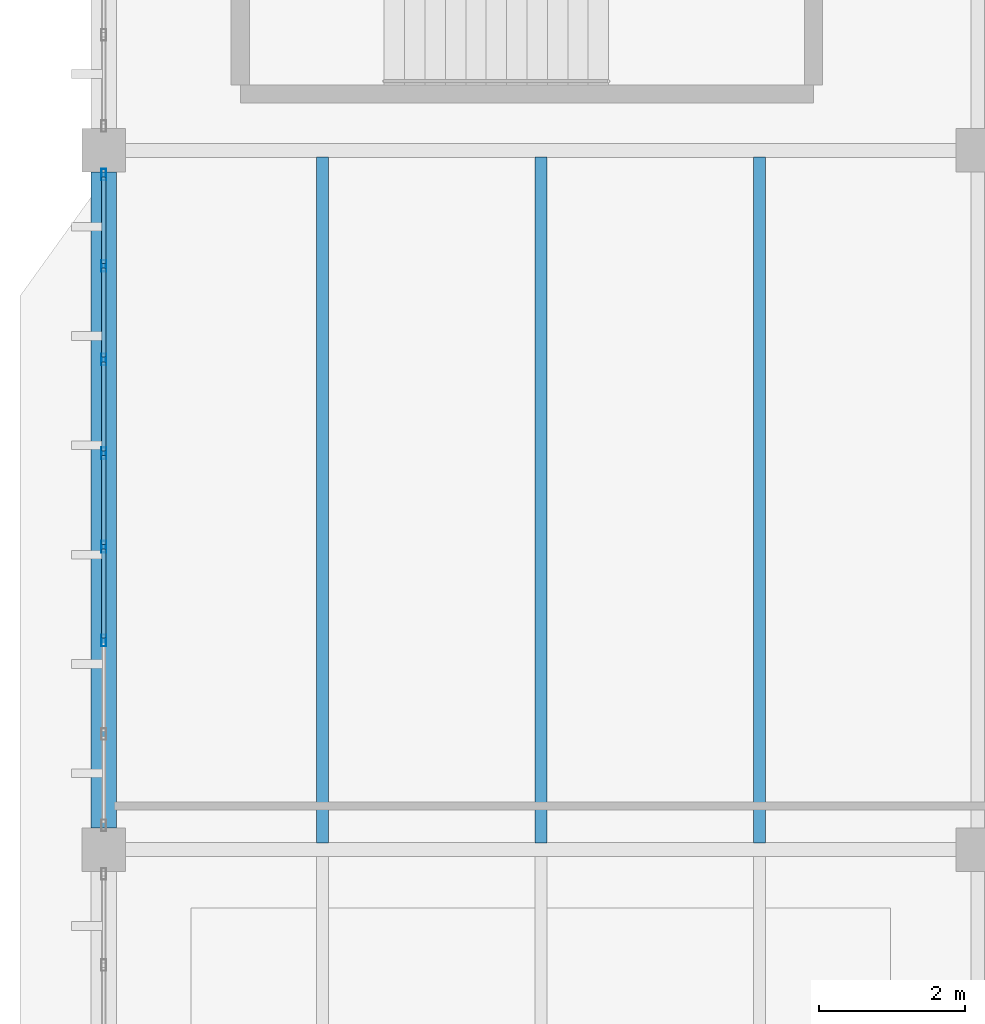
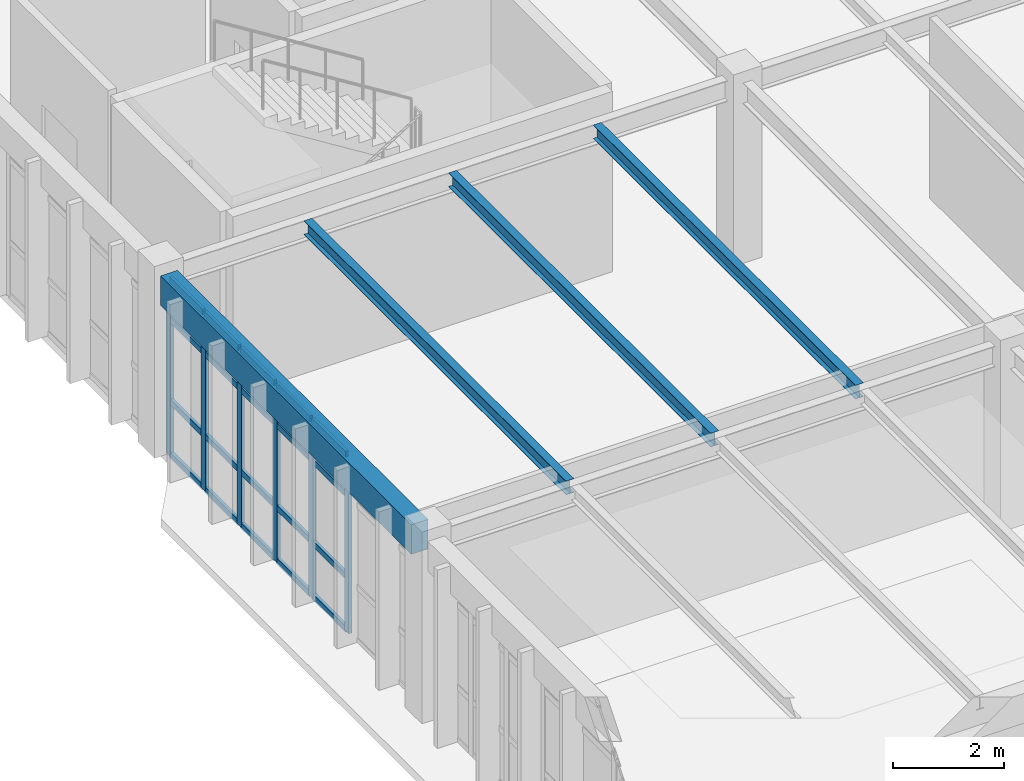
# One storey, part 6 of 37: 26 members, 4 beams, 1 element without a shape of its own.
"""IFC4 building model written with IfcOpenShell, lengths in metres."""

from ifc_helpers import new_model, si_unit, direction, frame, origin, origin_2d, place, context, subcontext, project, spatial, rectangle, hollow_rectangle, i_section, extrude, material, layer, layer_set, material_profile, profile_set, type_object, element, aggregate, save


model = new_model("IFC4")

# Units and contexts
model_context = context("Model", 3, precision=1e-05, world=origin(), true_north=direction((0.0, 1.0)))
body_context = subcontext(model_context, "Body", "Model", "MODEL_VIEW")
ifc_project = project(units=[si_unit("LENGTHUNIT", "METRE"), si_unit("AREAUNIT", "SQUARE_METRE"), si_unit("VOLUMEUNIT", "CUBIC_METRE"), si_unit("PLANEANGLEUNIT", "RADIAN"), si_unit("MASSUNIT", "GRAM", prefix="KILO")], contexts=[model_context])

# Site, building, storey
site_placement = place(None, origin())
site = spatial("IfcSite", under=ifc_project, at=site_placement, CompositionType="ELEMENT")
building_placement = place(site_placement, origin())
building = spatial("IfcBuilding", under=site, at=building_placement, Name="Pandanus Reach Market Hall", CompositionType="ELEMENT")
storey_placement = place(building_placement, frame((0.0, 0.0, 14.39990234375)))
storey = spatial("IfcBuildingStorey", under=building, at=storey_placement, Name="L03", CompositionType="ELEMENT", Elevation=14.39990234375)

# Beam
ifc_material_1 = material(Name="Concrete N40 (40 MPa)", Category="concrete")
ifc_material_profile_1 = material_profile(ifc_material_1, rectangle(XDim=0.35009765625, YDim=0.64990234375, at=origin_2d()), Name="RC350x650", Category="LoadBearing")
ifc_profile_set_1 = profile_set([ifc_material_profile_1], Name="Concrete N40 (40 MPa)")
beam_type_1 = type_object("IfcBeamType", Name="BM-RC350-E", PredefinedType="SPANDREL", material=ifc_profile_set_1)
beam_placement = place(storey_placement, frame((144.0, 38.697998046875, 3.630126953125), z_axis=(0.0, 1.0, 0.0), x_axis=(-1.0, 0.0, 0.0)))
element("IfcBeam", 1, at=beam_placement, inside=storey, type_object=beam_type_1, Name="Framing beam BM-RC350-E L03.555", PredefinedType="SPANDREL", context=body_context, shape_type="SweptSolid", body=[
    extrude(rectangle(XDim=0.35009765625, YDim=0.64990234375, at=origin_2d()), origin(), (0.0, 0.0, 1.0), 9.00390625),
])

# Curtain wall, members
ifc_material_2 = material(Name="Bronze anodised aluminium and low-E glass", Category="aluminium")
ifc_layer = layer(ifc_material_2, 0.159912109375, Name="CW-33")
ifc_layer_set = layer_set([ifc_layer], Name="Bronze anodised aluminium and low-E glass")
curtain_wall_type = type_object("IfcCurtainWallType", Name="CW-33", PredefinedType="NOTDEFINED", material=ifc_layer_set)
curtain_wall_placement = place(storey_placement, origin())
curtain_wall = element("IfcCurtainWall", 2, at=curtain_wall_placement, inside=storey, type_object=curtain_wall_type, Name="Glazed curtain wall CW-33 CW-0123", PredefinedType="NOTDEFINED")
ifc_material_3 = material(Name="Bronze anodised aluminium", Category="aluminium")
ifc_material_profile_2 = material_profile(ifc_material_3, hollow_rectangle(XDim=0.06494140625, YDim=0.159912109375, WallThickness=0.00390625, at=origin_2d()), Name="ALU65x160", Category="LoadBearing")
ifc_profile_set_2 = profile_set([ifc_material_profile_2], Name="Bronze anodised aluminium")
member_type_1 = type_object("IfcMemberType", Name="CW-M1", PredefinedType="MULLION", material=ifc_profile_set_2)
member_1_placement = place(storey_placement, frame((144.0, 41.271484375, 0.0), z_axis=(0.0, 0.0, 1.0), x_axis=(-1.0, 0.0, 0.0)))
member_1 = element("IfcMember", 3, at=member_1_placement, type_object=member_type_1, Name="CW-33 mullion 3", PredefinedType="MULLION", context=body_context, shape_type="SweptSolid", body=[
    extrude(hollow_rectangle(XDim=0.06494140625, YDim=0.159912109375, WallThickness=0.00390625, at=origin_2d()), origin(), (0.0, 0.0, 1.0), 3.900146484375),
])
member_2_placement = place(storey_placement, frame((144.0, 42.55712890625, 0.0), z_axis=(0.0, 0.0, 1.0), x_axis=(-1.0, 0.0, 0.0)))
member_2 = element("IfcMember", 4, at=member_2_placement, type_object=member_type_1, Name="CW-33 mullion 4", PredefinedType="MULLION", context=body_context, shape_type="SweptSolid", body=[
    extrude(hollow_rectangle(XDim=0.06494140625, YDim=0.159912109375, WallThickness=0.00390625, at=origin_2d()), origin(), (0.0, 0.0, 1.0), 3.900146484375),
])
member_3_placement = place(storey_placement, frame((144.0, 43.8427734375, 0.0), z_axis=(0.0, 0.0, 1.0), x_axis=(-1.0, 0.0, 0.0)))
member_3 = element("IfcMember", 5, at=member_3_placement, type_object=member_type_1, Name="CW-33 mullion 5", PredefinedType="MULLION", context=body_context, shape_type="SweptSolid", body=[
    extrude(hollow_rectangle(XDim=0.06494140625, YDim=0.159912109375, WallThickness=0.00390625, at=origin_2d()), origin(), (0.0, 0.0, 1.0), 3.900146484375),
])
member_4_placement = place(storey_placement, frame((144.0, 45.128662109375, 0.0), z_axis=(0.0, 0.0, 1.0), x_axis=(-1.0, 0.0, 0.0)))
member_4 = element("IfcMember", 6, at=member_4_placement, type_object=member_type_1, Name="CW-33 mullion 6", PredefinedType="MULLION", context=body_context, shape_type="SweptSolid", body=[
    extrude(hollow_rectangle(XDim=0.06494140625, YDim=0.159912109375, WallThickness=0.00390625, at=origin_2d()), origin(), (0.0, 0.0, 1.0), 3.900146484375),
])
member_5_placement = place(storey_placement, frame((144.0, 46.414306640625, 0.0), z_axis=(0.0, 0.0, 1.0), x_axis=(-1.0, 0.0, 0.0)))
member_5 = element("IfcMember", 7, at=member_5_placement, type_object=member_type_1, Name="CW-33 mullion 7", PredefinedType="MULLION", context=body_context, shape_type="SweptSolid", body=[
    extrude(hollow_rectangle(XDim=0.06494140625, YDim=0.159912109375, WallThickness=0.00390625, at=origin_2d()), origin(), (0.0, 0.0, 1.0), 3.900146484375),
])
member_6_placement = place(storey_placement, frame((144.0, 47.66748046875, 0.0), z_axis=(0.0, 0.0, 1.0), x_axis=(-1.0, 0.0, 0.0)))
member_6 = element("IfcMember", 8, at=member_6_placement, type_object=member_type_1, Name="CW-33 mullion 8", PredefinedType="MULLION", context=body_context, shape_type="SweptSolid", body=[
    extrude(hollow_rectangle(XDim=0.06494140625, YDim=0.159912109375, WallThickness=0.00390625, at=origin_2d()), origin(), (0.0, 0.0, 1.0), 3.900146484375),
])
ifc_material_profile_3 = material_profile(ifc_material_3, hollow_rectangle(XDim=0.06494140625, YDim=0.1298828125, WallThickness=0.00390625, at=origin_2d()), Name="ALU65x130", Category="LoadBearing")
ifc_profile_set_3 = profile_set([ifc_material_profile_3], Name="Bronze anodised aluminium")
member_type_2 = type_object("IfcMemberType", Name="CW-T1", PredefinedType="USERDEFINED", material=ifc_profile_set_3)
member_7_placement = place(storey_placement, frame((144.0, 41.303955078125, 0.03271484375), z_axis=(0.0, 1.0, 0.0), x_axis=(-1.0, 0.0, 0.0)))
member_7 = element("IfcMember", 9, at=member_7_placement, type_object=member_type_2, Name="CW-33 transom 3.1", ObjectType="TRANSOM", PredefinedType="USERDEFINED", context=body_context, shape_type="SweptSolid", body=[
    extrude(hollow_rectangle(XDim=0.06494140625, YDim=0.1298828125, WallThickness=0.00390625, at=origin_2d()), origin(), (0.0, 0.0, 1.0), 1.220703125),
])
member_8_placement = place(storey_placement, frame((144.0, 41.303955078125, 1.2001953125), z_axis=(0.0, 1.0, 0.0), x_axis=(-1.0, 0.0, 0.0)))
member_8 = element("IfcMember", 10, at=member_8_placement, type_object=member_type_2, Name="CW-33 transom 3.2", ObjectType="TRANSOM", PredefinedType="USERDEFINED", context=body_context, shape_type="SweptSolid", body=[
    extrude(hollow_rectangle(XDim=0.06494140625, YDim=0.1298828125, WallThickness=0.00390625, at=origin_2d()), origin(), (0.0, 0.0, 1.0), 1.220703125),
])
member_9_placement = place(storey_placement, frame((144.0, 41.303955078125, 3.0), z_axis=(0.0, 1.0, 0.0), x_axis=(-1.0, 0.0, 0.0)))
member_9 = element("IfcMember", 11, at=member_9_placement, type_object=member_type_2, Name="CW-33 transom 3.3", ObjectType="TRANSOM", PredefinedType="USERDEFINED", context=body_context, shape_type="SweptSolid", body=[
    extrude(hollow_rectangle(XDim=0.06494140625, YDim=0.1298828125, WallThickness=0.00390625, at=origin_2d()), origin(), (0.0, 0.0, 1.0), 1.220703125),
])
member_10_placement = place(storey_placement, frame((144.0, 41.303955078125, 3.86767578125), z_axis=(0.0, 1.0, 0.0), x_axis=(-1.0, 0.0, 0.0)))
member_10 = element("IfcMember", 12, at=member_10_placement, type_object=member_type_2, Name="CW-33 transom 3.4", ObjectType="TRANSOM", PredefinedType="USERDEFINED", context=body_context, shape_type="SweptSolid", body=[
    extrude(hollow_rectangle(XDim=0.06494140625, YDim=0.1298828125, WallThickness=0.00390625, at=origin_2d()), origin(), (0.0, 0.0, 1.0), 1.220703125),
])
member_11_placement = place(storey_placement, frame((144.0, 42.589599609375, 0.03271484375), z_axis=(0.0, 1.0, 0.0), x_axis=(-1.0, 0.0, 0.0)))
member_11 = element("IfcMember", 13, at=member_11_placement, type_object=member_type_2, Name="CW-33 transom 4.1", ObjectType="TRANSOM", PredefinedType="USERDEFINED", context=body_context, shape_type="SweptSolid", body=[
    extrude(hollow_rectangle(XDim=0.06494140625, YDim=0.1298828125, WallThickness=0.00390625, at=origin_2d()), origin(), (0.0, 0.0, 1.0), 1.220703125),
])
member_12_placement = place(storey_placement, frame((144.0, 42.589599609375, 1.2001953125), z_axis=(0.0, 1.0, 0.0), x_axis=(-1.0, 0.0, 0.0)))
member_12 = element("IfcMember", 14, at=member_12_placement, type_object=member_type_2, Name="CW-33 transom 4.2", ObjectType="TRANSOM", PredefinedType="USERDEFINED", context=body_context, shape_type="SweptSolid", body=[
    extrude(hollow_rectangle(XDim=0.06494140625, YDim=0.1298828125, WallThickness=0.00390625, at=origin_2d()), origin(), (0.0, 0.0, 1.0), 1.220703125),
])
member_13_placement = place(storey_placement, frame((144.0, 42.589599609375, 3.0), z_axis=(0.0, 1.0, 0.0), x_axis=(-1.0, 0.0, 0.0)))
member_13 = element("IfcMember", 15, at=member_13_placement, type_object=member_type_2, Name="CW-33 transom 4.3", ObjectType="TRANSOM", PredefinedType="USERDEFINED", context=body_context, shape_type="SweptSolid", body=[
    extrude(hollow_rectangle(XDim=0.06494140625, YDim=0.1298828125, WallThickness=0.00390625, at=origin_2d()), origin(), (0.0, 0.0, 1.0), 1.220703125),
])
member_14_placement = place(storey_placement, frame((144.0, 42.589599609375, 3.86767578125), z_axis=(0.0, 1.0, 0.0), x_axis=(-1.0, 0.0, 0.0)))
member_14 = element("IfcMember", 16, at=member_14_placement, type_object=member_type_2, Name="CW-33 transom 4.4", ObjectType="TRANSOM", PredefinedType="USERDEFINED", context=body_context, shape_type="SweptSolid", body=[
    extrude(hollow_rectangle(XDim=0.06494140625, YDim=0.1298828125, WallThickness=0.00390625, at=origin_2d()), origin(), (0.0, 0.0, 1.0), 1.220703125),
])
member_15_placement = place(storey_placement, frame((144.0, 43.875244140625, 0.03271484375), z_axis=(0.0, 1.0, 0.0), x_axis=(-1.0, 0.0, 0.0)))
member_15 = element("IfcMember", 17, at=member_15_placement, type_object=member_type_2, Name="CW-33 transom 5.1", ObjectType="TRANSOM", PredefinedType="USERDEFINED", context=body_context, shape_type="SweptSolid", body=[
    extrude(hollow_rectangle(XDim=0.06494140625, YDim=0.1298828125, WallThickness=0.00390625, at=origin_2d()), origin(), (0.0, 0.0, 1.0), 1.220947265625),
])
member_16_placement = place(storey_placement, frame((144.0, 43.875244140625, 1.2001953125), z_axis=(0.0, 1.0, 0.0), x_axis=(-1.0, 0.0, 0.0)))
member_16 = element("IfcMember", 18, at=member_16_placement, type_object=member_type_2, Name="CW-33 transom 5.2", ObjectType="TRANSOM", PredefinedType="USERDEFINED", context=body_context, shape_type="SweptSolid", body=[
    extrude(hollow_rectangle(XDim=0.06494140625, YDim=0.1298828125, WallThickness=0.00390625, at=origin_2d()), origin(), (0.0, 0.0, 1.0), 1.220947265625),
])
member_17_placement = place(storey_placement, frame((144.0, 43.875244140625, 3.0), z_axis=(0.0, 1.0, 0.0), x_axis=(-1.0, 0.0, 0.0)))
member_17 = element("IfcMember", 19, at=member_17_placement, type_object=member_type_2, Name="CW-33 transom 5.3", ObjectType="TRANSOM", PredefinedType="USERDEFINED", context=body_context, shape_type="SweptSolid", body=[
    extrude(hollow_rectangle(XDim=0.06494140625, YDim=0.1298828125, WallThickness=0.00390625, at=origin_2d()), origin(), (0.0, 0.0, 1.0), 1.220947265625),
])
member_18_placement = place(storey_placement, frame((144.0, 43.875244140625, 3.86767578125), z_axis=(0.0, 1.0, 0.0), x_axis=(-1.0, 0.0, 0.0)))
member_18 = element("IfcMember", 20, at=member_18_placement, type_object=member_type_2, Name="CW-33 transom 5.4", ObjectType="TRANSOM", PredefinedType="USERDEFINED", context=body_context, shape_type="SweptSolid", body=[
    extrude(hollow_rectangle(XDim=0.06494140625, YDim=0.1298828125, WallThickness=0.00390625, at=origin_2d()), origin(), (0.0, 0.0, 1.0), 1.220947265625),
])
member_19_placement = place(storey_placement, frame((144.0, 45.1611328125, 0.03271484375), z_axis=(0.0, 1.0, 0.0), x_axis=(-1.0, 0.0, 0.0)))
member_19 = element("IfcMember", 21, at=member_19_placement, type_object=member_type_2, Name="CW-33 transom 6.1", ObjectType="TRANSOM", PredefinedType="USERDEFINED", context=body_context, shape_type="SweptSolid", body=[
    extrude(hollow_rectangle(XDim=0.06494140625, YDim=0.1298828125, WallThickness=0.00390625, at=origin_2d()), origin(), (0.0, 0.0, 1.0), 1.220703125),
])
member_20_placement = place(storey_placement, frame((144.0, 45.1611328125, 1.2001953125), z_axis=(0.0, 1.0, 0.0), x_axis=(-1.0, 0.0, 0.0)))
member_20 = element("IfcMember", 22, at=member_20_placement, type_object=member_type_2, Name="CW-33 transom 6.2", ObjectType="TRANSOM", PredefinedType="USERDEFINED", context=body_context, shape_type="SweptSolid", body=[
    extrude(hollow_rectangle(XDim=0.06494140625, YDim=0.1298828125, WallThickness=0.00390625, at=origin_2d()), origin(), (0.0, 0.0, 1.0), 1.220703125),
])
member_21_placement = place(storey_placement, frame((144.0, 45.1611328125, 3.0), z_axis=(0.0, 1.0, 0.0), x_axis=(-1.0, 0.0, 0.0)))
member_21 = element("IfcMember", 23, at=member_21_placement, type_object=member_type_2, Name="CW-33 transom 6.3", ObjectType="TRANSOM", PredefinedType="USERDEFINED", context=body_context, shape_type="SweptSolid", body=[
    extrude(hollow_rectangle(XDim=0.06494140625, YDim=0.1298828125, WallThickness=0.00390625, at=origin_2d()), origin(), (0.0, 0.0, 1.0), 1.220703125),
])
member_22_placement = place(storey_placement, frame((144.0, 45.1611328125, 3.86767578125), z_axis=(0.0, 1.0, 0.0), x_axis=(-1.0, 0.0, 0.0)))
member_22 = element("IfcMember", 24, at=member_22_placement, type_object=member_type_2, Name="CW-33 transom 6.4", ObjectType="TRANSOM", PredefinedType="USERDEFINED", context=body_context, shape_type="SweptSolid", body=[
    extrude(hollow_rectangle(XDim=0.06494140625, YDim=0.1298828125, WallThickness=0.00390625, at=origin_2d()), origin(), (0.0, 0.0, 1.0), 1.220703125),
])
member_23_placement = place(storey_placement, frame((144.0, 46.44677734375, 0.03271484375), z_axis=(0.0, 1.0, 0.0), x_axis=(-1.0, 0.0, 0.0)))
member_23 = element("IfcMember", 25, at=member_23_placement, type_object=member_type_2, Name="CW-33 transom 7.1", ObjectType="TRANSOM", PredefinedType="USERDEFINED", context=body_context, shape_type="SweptSolid", body=[
    extrude(hollow_rectangle(XDim=0.06494140625, YDim=0.1298828125, WallThickness=0.00390625, at=origin_2d()), origin(), (0.0, 0.0, 1.0), 1.188232421875),
])
member_24_placement = place(storey_placement, frame((144.0, 46.44677734375, 1.2001953125), z_axis=(0.0, 1.0, 0.0), x_axis=(-1.0, 0.0, 0.0)))
member_24 = element("IfcMember", 26, at=member_24_placement, type_object=member_type_2, Name="CW-33 transom 7.2", ObjectType="TRANSOM", PredefinedType="USERDEFINED", context=body_context, shape_type="SweptSolid", body=[
    extrude(hollow_rectangle(XDim=0.06494140625, YDim=0.1298828125, WallThickness=0.00390625, at=origin_2d()), origin(), (0.0, 0.0, 1.0), 1.188232421875),
])
member_25_placement = place(storey_placement, frame((144.0, 46.44677734375, 3.0), z_axis=(0.0, 1.0, 0.0), x_axis=(-1.0, 0.0, 0.0)))
member_25 = element("IfcMember", 27, at=member_25_placement, type_object=member_type_2, Name="CW-33 transom 7.3", ObjectType="TRANSOM", PredefinedType="USERDEFINED", context=body_context, shape_type="SweptSolid", body=[
    extrude(hollow_rectangle(XDim=0.06494140625, YDim=0.1298828125, WallThickness=0.00390625, at=origin_2d()), origin(), (0.0, 0.0, 1.0), 1.188232421875),
])
member_26_placement = place(storey_placement, frame((144.0, 46.44677734375, 3.86767578125), z_axis=(0.0, 1.0, 0.0), x_axis=(-1.0, 0.0, 0.0)))
member_26 = element("IfcMember", 28, at=member_26_placement, type_object=member_type_2, Name="CW-33 transom 7.4", ObjectType="TRANSOM", PredefinedType="USERDEFINED", context=body_context, shape_type="SweptSolid", body=[
    extrude(hollow_rectangle(XDim=0.06494140625, YDim=0.1298828125, WallThickness=0.00390625, at=origin_2d()), origin(), (0.0, 0.0, 1.0), 1.188232421875),
])
aggregate(curtain_wall, [member_1, member_2, member_3, member_4, member_5, member_6, member_7, member_8, member_9, member_10, member_11, member_12, member_13, member_14, member_15, member_16, member_17, member_18, member_19, member_20, member_21, member_22, member_23, member_24, member_25, member_26])

# Beams
ifc_material_4 = material(Name="Steel Grade 350 (350 MPa)", Category="steel")
ifc_material_profile_4 = material_profile(ifc_material_4, i_section(OverallWidth=0.1650390625, OverallDepth=0.303955078125, WebThickness=0.006103515625, FlangeThickness=0.01025390625, at=origin_2d()), Name="310UB40.4", Category="LoadBearing")
ifc_profile_set_4 = profile_set([ifc_material_profile_4], Name="Steel Grade 350 (350 MPa)")
beam_type_2 = type_object("IfcBeamType", Name="JS-UB310-I", PredefinedType="JOIST", material=ifc_profile_set_4)
for number, where, z_axis, x_axis, name in (
    (29, (147.0, 38.492919921875, 3.802734375), (0.0, 1.0, 0.0), (-1.0, 0.0, 0.0), "Secondary joist JS-UB310-I L03.577"),
    (30, (150.0, 38.492919921875, 3.802734375), (0.0, 1.0, 0.0), (-1.0, 0.0, 0.0), "Secondary joist JS-UB310-I L03.578"),
    (31, (153.0, 38.492919921875, 3.802734375), (0.0, 1.0, 0.0), (-1.0, 0.0, 0.0), "Secondary joist JS-UB310-I L03.579"),
):
    element("IfcBeam", number, at=place(storey_placement, frame(where, z_axis=z_axis, x_axis=x_axis)), inside=storey, type_object=beam_type_2, Name=name, PredefinedType="JOIST", context=body_context, shape_type="SweptSolid", body=[
        extrude(i_section(OverallWidth=0.1650390625, OverallDepth=0.303955078125, WebThickness=0.006103515625, FlangeThickness=0.01025390625, at=origin_2d()), origin(), (0.0, 0.0, 1.0), 9.4140625),
    ])

save(model, "model.ifc")
